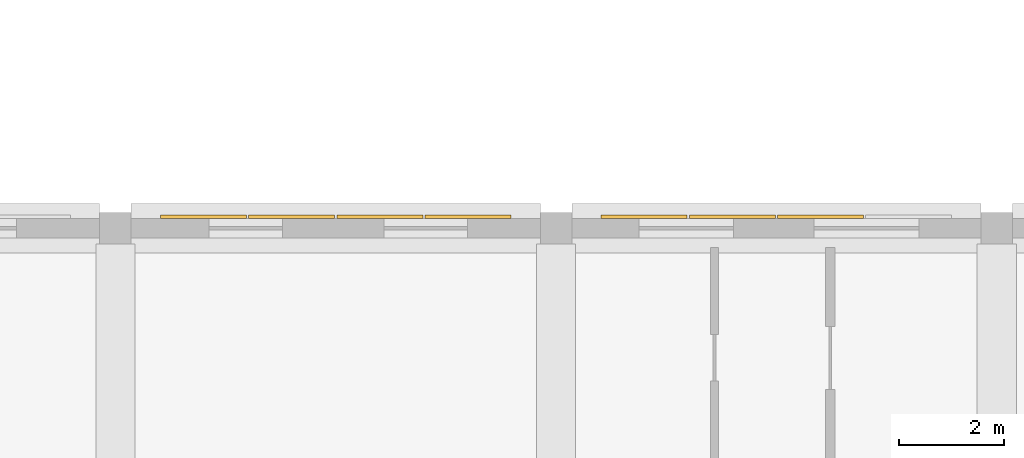
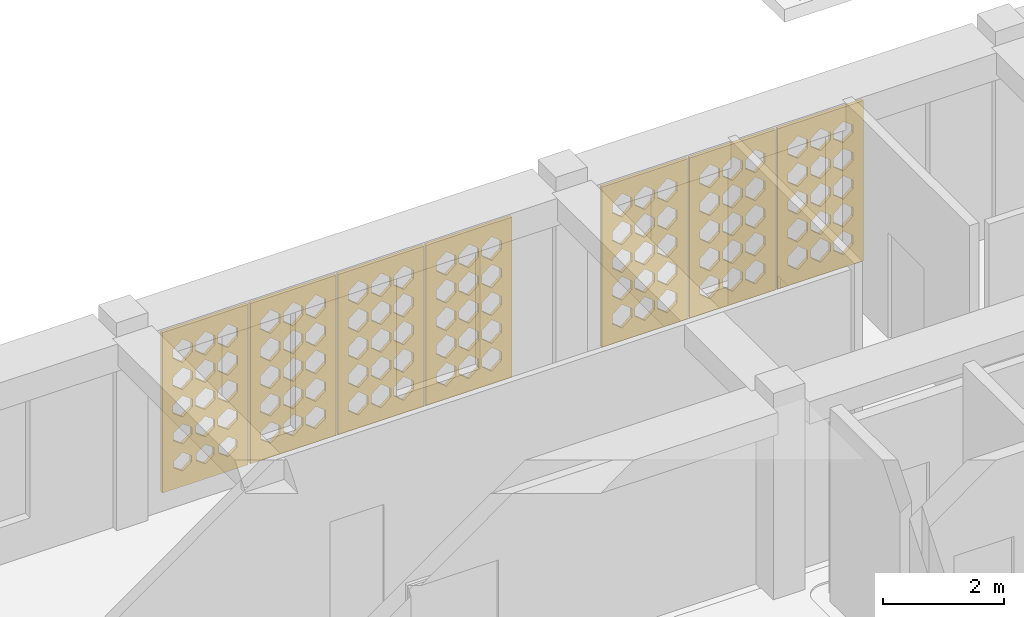
# One storey, part 43 of 48: 7 coverings.
"""IFC4 building model written with IfcOpenShell, lengths in metres."""

from ifc_helpers import new_model, si_unit, derived_unit, direction, frame, origin, place, context, subcontext, project, spatial, polyline, outline, extrude, material, layer, layer_set, type_object, element, save


model = new_model("IFC4")

# Units and contexts
model_context = context("Model", 3, precision=1e-05, world=origin(), true_north=direction((0.0, 1.0)))
body_context = subcontext(model_context, "Body", "Model", "MODEL_VIEW")
ifc_project = project(units=[si_unit("LENGTHUNIT", "METRE"), si_unit("AREAUNIT", "SQUARE_METRE"), si_unit("VOLUMEUNIT", "CUBIC_METRE"), si_unit("PLANEANGLEUNIT", "RADIAN"), si_unit("MASSUNIT", "GRAM", prefix="KILO"), derived_unit("THERMALTRANSMITTANCEUNIT", [(si_unit("POWERUNIT", "WATT"), 1), (si_unit("LENGTHUNIT", "METRE"), -2), (si_unit("THERMODYNAMICTEMPERATUREUNIT", "KELVIN"), -1)])], contexts=[model_context])

# Site, building, storey
site_placement = place(None, origin())
site = spatial("IfcSite", under=ifc_project, at=site_placement, CompositionType="ELEMENT")
building_placement = place(site_placement, origin())
building = spatial("IfcBuilding", under=site, at=building_placement, Name="Veybourne Emporium", CompositionType="ELEMENT")
storey_placement = place(building_placement, frame((0.0, 0.0, 27.89990234375)))
storey = spatial("IfcBuildingStorey", under=building, at=storey_placement, Name="L06", CompositionType="ELEMENT", Elevation=27.89990234375)

# Coverings
ifc_material = material(Name="Warm-White Perforated Aluminium Screen Alloy", Category="aluminium")
ifc_layer_1 = layer(ifc_material, 0.06005859375)
ifc_layer_set_1 = layer_set([ifc_layer_1], Name="Warm-White Perforated Aluminium Screen Alloy")
covering_type_1 = type_object("IfcCoveringType", Name="WaveScreen_SCR-01", PredefinedType="CLADDING", material=ifc_layer_set_1)
covering_1_placement = place(storey_placement, frame((10.080078125, 50.64794921875, 1.68017578125), z_axis=(0.0, -1.0, 0.0), x_axis=(1.0, 0.0, 0.0)))
element("IfcCovering", 1, at=covering_1_placement, inside=storey, type_object=covering_type_1, Name="L06 wave-perforated aluminium screen SCR-01 (9.1)", PredefinedType="CLADDING", context=body_context, shape_type="SweptSolid", body=[
    extrude(outline(polyline([(-0.81982421875, -1.6201171875), (0.81982421875, -1.6201171875), (0.81982421875, 1.6201171875), (-0.81982421875, 1.6201171875), (-0.81982421875, -1.6201171875)]), holes=[polyline([(-0.433349609375, -0.93017578125), (-0.26806640625, -1.0517578125), (-0.26806640625, -1.188232421875), (-0.433349609375, -1.309814453125), (-0.5986328125, -1.188232421875), (-0.5986328125, -1.0517578125), (-0.433349609375, -0.93017578125)]), polyline([(-0.433349609375, -0.357421875), (-0.257568359375, -0.487060546875), (-0.257568359375, -0.633056640625), (-0.433349609375, -0.7626953125), (-0.609130859375, -0.633056640625), (-0.609130859375, -0.487060546875), (-0.433349609375, -0.357421875)]), polyline([(-0.433349609375, 0.21533203125), (-0.2470703125, 0.077392578125), (-0.2470703125, -0.077392578125), (-0.433349609375, -0.21533203125), (-0.619384765625, -0.077392578125), (-0.619384765625, 0.077392578125), (-0.433349609375, 0.21533203125)]), polyline([(-0.433349609375, 0.787353515625), (-0.2470703125, 0.641845703125), (-0.2470703125, 0.47802734375), (-0.433349609375, 0.33251953125), (-0.61962890625, 0.47802734375), (-0.61962890625, 0.641845703125), (-0.433349609375, 0.787353515625)]), polyline([(-0.433349609375, 1.358642578125), (-0.2470703125, 1.205810546875), (-0.2470703125, 1.0341796875), (-0.433349609375, 0.88134765625), (-0.61962890625, 1.0341796875), (-0.61962890625, 1.205810546875), (-0.433349609375, 1.358642578125)]), polyline([(0.0, -0.923828125), (0.17041015625, -1.04931640625), (0.17041015625, -1.190673828125), (0.0, -1.316162109375), (-0.17041015625, -1.190673828125), (-0.17041015625, -1.04931640625), (0.0, -0.923828125)]), polyline([(0.0, -0.35107421875), (0.180908203125, -0.48486328125), (0.180908203125, -0.63525390625), (0.0, -0.76904296875), (-0.180908203125, -0.63525390625), (-0.180908203125, -0.48486328125), (0.0, -0.35107421875)]), polyline([(0.0, 0.221435546875), (0.186279296875, 0.07958984375), (0.186279296875, -0.07958984375), (0.0, -0.221435546875), (-0.186279296875, -0.07958984375), (-0.186279296875, 0.07958984375), (0.0, 0.221435546875)]), polyline([(0.0, 0.793212890625), (0.186279296875, 0.643798828125), (0.186279296875, 0.47607421875), (0.0, 0.326904296875), (-0.186279296875, 0.47607421875), (-0.186279296875, 0.643798828125), (0.0, 0.793212890625)]), polyline([(0.0, 1.36083984375), (0.186279296875, 1.206787109375), (0.186279296875, 1.033203125), (0.0, 0.879150390625), (-0.186279296875, 1.033203125), (-0.186279296875, 1.206787109375), (0.0, 1.36083984375)]), polyline([(0.433349609375, -0.91748046875), (0.609130859375, -1.047119140625), (0.609130859375, -1.19287109375), (0.433349609375, -1.322509765625), (0.257568359375, -1.19287109375), (0.257568359375, -1.047119140625), (0.433349609375, -0.91748046875)]), polyline([(0.433349609375, -0.3447265625), (0.619384765625, -0.482421875), (0.619384765625, -0.637451171875), (0.433349609375, -0.775390625), (0.247314453125, -0.637451171875), (0.247314453125, -0.482421875), (0.433349609375, -0.3447265625)]), polyline([(0.433349609375, 0.227294921875), (0.61962890625, 0.081787109375), (0.61962890625, -0.081787109375), (0.433349609375, -0.227294921875), (0.2470703125, -0.081787109375), (0.2470703125, 0.081787109375), (0.433349609375, 0.227294921875)]), polyline([(0.433349609375, 0.798583984375), (0.61962890625, 0.64599609375), (0.61962890625, 0.47412109375), (0.433349609375, 0.3212890625), (0.2470703125, 0.47412109375), (0.2470703125, 0.64599609375), (0.433349609375, 0.798583984375)]), polyline([(0.433349609375, 1.36083984375), (0.61962890625, 1.206787109375), (0.61962890625, 1.033203125), (0.433349609375, 0.879150390625), (0.2470703125, 1.033203125), (0.2470703125, 1.206787109375), (0.433349609375, 1.36083984375)])]), origin(), (0.0, 0.0, 1.0), 0.06005859375),
])
covering_2_placement = place(storey_placement, frame((20.159912109375, 50.64794921875, 1.68017578125), z_axis=(0.0, -1.0, 0.0), x_axis=(1.0, 0.0, 0.0)))
element("IfcCovering", 2, at=covering_2_placement, inside=storey, type_object=covering_type_1, Name="L06 wave-perforated aluminium screen SCR-01 (12.2)", PredefinedType="CLADDING", context=body_context, shape_type="SweptSolid", body=[
    extrude(outline(polyline([(-0.81982421875, -1.6201171875), (0.81982421875, -1.6201171875), (0.81982421875, 1.6201171875), (-0.81982421875, 1.6201171875), (-0.81982421875, -1.6201171875)]), holes=[polyline([(-0.433349609375, -0.879150390625), (-0.2470703125, -1.033203125), (-0.2470703125, -1.206787109375), (-0.433349609375, -1.36083984375), (-0.61962890625, -1.206787109375), (-0.61962890625, -1.033203125), (-0.433349609375, -0.879150390625)]), polyline([(-0.433349609375, -0.319091796875), (-0.2470703125, -0.473388671875), (-0.2470703125, -0.646728515625), (-0.433349609375, -0.80078125), (-0.61962890625, -0.646728515625), (-0.61962890625, -0.473388671875), (-0.433349609375, -0.319091796875)]), polyline([(-0.433349609375, 0.24072265625), (-0.2470703125, 0.086669921875), (-0.2470703125, -0.086669921875), (-0.433349609375, -0.24072265625), (-0.61962890625, -0.086669921875), (-0.61962890625, 0.086669921875), (-0.433349609375, 0.24072265625)]), polyline([(-0.433349609375, 0.80078125), (-0.2470703125, 0.646728515625), (-0.2470703125, 0.473388671875), (-0.433349609375, 0.319091796875), (-0.61962890625, 0.473388671875), (-0.61962890625, 0.646728515625), (-0.433349609375, 0.80078125)]), polyline([(-0.433349609375, 1.36083984375), (-0.2470703125, 1.206787109375), (-0.2470703125, 1.033203125), (-0.433349609375, 0.879150390625), (-0.61962890625, 1.033203125), (-0.61962890625, 1.206787109375), (-0.433349609375, 1.36083984375)]), polyline([(0.0, -0.879150390625), (0.186279296875, -1.033203125), (0.186279296875, -1.206787109375), (0.0, -1.36083984375), (-0.186279296875, -1.206787109375), (-0.186279296875, -1.033203125), (0.0, -0.879150390625)]), polyline([(0.0, -0.319091796875), (0.186279296875, -0.473388671875), (0.186279296875, -0.646728515625), (0.0, -0.80078125), (-0.186279296875, -0.646728515625), (-0.186279296875, -0.473388671875), (0.0, -0.319091796875)]), polyline([(0.0, 0.24072265625), (0.186279296875, 0.086669921875), (0.186279296875, -0.086669921875), (0.0, -0.24072265625), (-0.186279296875, -0.086669921875), (-0.186279296875, 0.086669921875), (0.0, 0.24072265625)]), polyline([(0.0, 0.80078125), (0.186279296875, 0.646728515625), (0.186279296875, 0.473388671875), (0.0, 0.319091796875), (-0.186279296875, 0.473388671875), (-0.186279296875, 0.646728515625), (0.0, 0.80078125)]), polyline([(0.0, 1.36083984375), (0.186279296875, 1.206787109375), (0.186279296875, 1.033203125), (0.0, 0.879150390625), (-0.186279296875, 1.033203125), (-0.186279296875, 1.206787109375), (0.0, 1.36083984375)]), polyline([(0.433349609375, -0.879150390625), (0.61962890625, -1.033203125), (0.61962890625, -1.206787109375), (0.433349609375, -1.36083984375), (0.2470703125, -1.206787109375), (0.2470703125, -1.033203125), (0.433349609375, -0.879150390625)]), polyline([(0.433349609375, -0.319091796875), (0.61962890625, -0.473388671875), (0.61962890625, -0.646728515625), (0.433349609375, -0.80078125), (0.2470703125, -0.646728515625), (0.2470703125, -0.473388671875), (0.433349609375, -0.319091796875)]), polyline([(0.433349609375, 0.24072265625), (0.61962890625, 0.086669921875), (0.61962890625, -0.086669921875), (0.433349609375, -0.24072265625), (0.2470703125, -0.086669921875), (0.2470703125, 0.086669921875), (0.433349609375, 0.24072265625)]), polyline([(0.433349609375, 0.80078125), (0.61962890625, 0.646728515625), (0.61962890625, 0.473388671875), (0.433349609375, 0.319091796875), (0.2470703125, 0.473388671875), (0.2470703125, 0.646728515625), (0.433349609375, 0.80078125)]), polyline([(0.433349609375, 1.357421875), (0.61962890625, 1.20556640625), (0.61962890625, 1.034423828125), (0.433349609375, 0.882568359375), (0.2470703125, 1.034423828125), (0.2470703125, 1.20556640625), (0.433349609375, 1.357421875)])]), origin(), (0.0, 0.0, 1.0), 0.06005859375),
])
ifc_layer_2 = layer(ifc_material, 0.06005859375)
ifc_layer_set_2 = layer_set([ifc_layer_2], Name="Warm-White Perforated Aluminium Screen Alloy")
covering_type_2 = type_object("IfcCoveringType", Name="WaveScreen_SCR-02", PredefinedType="CLADDING", material=ifc_layer_set_2)
covering_3_placement = place(storey_placement, frame((11.760009765625, 50.64794921875, 1.68017578125), z_axis=(0.0, -1.0, 0.0), x_axis=(1.0, 0.0, 0.0)))
element("IfcCovering", 3, at=covering_3_placement, inside=storey, type_object=covering_type_2, Name="L06 wave-perforated aluminium screen SCR-02 (9.2)", PredefinedType="CLADDING", context=body_context, shape_type="SweptSolid", body=[
    extrude(outline(polyline([(-0.81982421875, -1.6201171875), (0.81982421875, -1.6201171875), (0.81982421875, 1.6201171875), (-0.81982421875, 1.6201171875), (-0.81982421875, -1.6201171875)]), holes=[polyline([(-0.433349609375, -0.905517578125), (-0.247802734375, -1.042724609375), (-0.247802734375, -1.197265625), (-0.433349609375, -1.33447265625), (-0.618896484375, -1.197265625), (-0.618896484375, -1.042724609375), (-0.433349609375, -0.905517578125)]), polyline([(-0.433349609375, -0.33349609375), (-0.2470703125, -0.478515625), (-0.2470703125, -0.6416015625), (-0.433349609375, -0.78662109375), (-0.61962890625, -0.6416015625), (-0.61962890625, -0.478515625), (-0.433349609375, -0.33349609375)]), polyline([(-0.433349609375, 0.23779296875), (-0.2470703125, 0.085693359375), (-0.2470703125, -0.085693359375), (-0.433349609375, -0.23779296875), (-0.61962890625, -0.085693359375), (-0.61962890625, 0.085693359375), (-0.433349609375, 0.23779296875)]), polyline([(-0.433349609375, 0.80078125), (-0.2470703125, 0.646728515625), (-0.2470703125, 0.473388671875), (-0.433349609375, 0.319091796875), (-0.61962890625, 0.473388671875), (-0.61962890625, 0.646728515625), (-0.433349609375, 0.80078125)]), polyline([(-0.433349609375, 1.36083984375), (-0.2470703125, 1.206787109375), (-0.2470703125, 1.033203125), (-0.433349609375, 0.879150390625), (-0.61962890625, 1.033203125), (-0.61962890625, 1.206787109375), (-0.433349609375, 1.36083984375)]), polyline([(0.0, -0.8994140625), (0.186279296875, -1.04052734375), (0.186279296875, -1.199462890625), (0.0, -1.340576171875), (-0.186279296875, -1.199462890625), (-0.186279296875, -1.04052734375), (0.0, -0.8994140625)]), polyline([(0.0, -0.32763671875), (0.186279296875, -0.476318359375), (0.186279296875, -0.6435546875), (0.0, -0.792236328125), (-0.186279296875, -0.6435546875), (-0.186279296875, -0.476318359375), (0.0, -0.32763671875)]), polyline([(0.0, 0.24072265625), (0.186279296875, 0.086669921875), (0.186279296875, -0.086669921875), (0.0, -0.24072265625), (-0.186279296875, -0.086669921875), (-0.186279296875, 0.086669921875), (0.0, 0.24072265625)]), polyline([(0.0, 0.80078125), (0.186279296875, 0.646728515625), (0.186279296875, 0.473388671875), (0.0, 0.319091796875), (-0.186279296875, 0.473388671875), (-0.186279296875, 0.646728515625), (0.0, 0.80078125)]), polyline([(0.0, 1.36083984375), (0.186279296875, 1.206787109375), (0.186279296875, 1.033203125), (0.0, 0.879150390625), (-0.186279296875, 1.033203125), (-0.186279296875, 1.206787109375), (0.0, 1.36083984375)]), polyline([(0.433349609375, -0.8935546875), (0.61962890625, -1.038330078125), (0.61962890625, -1.20166015625), (0.433349609375, -1.346435546875), (0.2470703125, -1.20166015625), (0.2470703125, -1.038330078125), (0.433349609375, -0.8935546875)]), polyline([(0.433349609375, -0.322021484375), (0.61962890625, -0.474365234375), (0.61962890625, -0.6455078125), (0.433349609375, -0.7978515625), (0.2470703125, -0.6455078125), (0.2470703125, -0.474365234375), (0.433349609375, -0.322021484375)]), polyline([(0.433349609375, 0.24072265625), (0.61962890625, 0.086669921875), (0.61962890625, -0.086669921875), (0.433349609375, -0.24072265625), (0.2470703125, -0.086669921875), (0.2470703125, 0.086669921875), (0.433349609375, 0.24072265625)]), polyline([(0.433349609375, 0.80078125), (0.61962890625, 0.646728515625), (0.61962890625, 0.473388671875), (0.433349609375, 0.319091796875), (0.2470703125, 0.473388671875), (0.2470703125, 0.646728515625), (0.433349609375, 0.80078125)]), polyline([(0.433349609375, 1.36083984375), (0.61962890625, 1.206787109375), (0.61962890625, 1.033203125), (0.433349609375, 0.879150390625), (0.2470703125, 1.033203125), (0.2470703125, 1.206787109375), (0.433349609375, 1.36083984375)])]), origin(), (0.0, 0.0, 1.0), 0.06005859375),
])
covering_4_placement = place(storey_placement, frame((21.840087890625, 50.64794921875, 1.68017578125), z_axis=(0.0, -1.0, 0.0), x_axis=(1.0, 0.0, 0.0)))
element("IfcCovering", 4, at=covering_4_placement, inside=storey, type_object=covering_type_2, Name="L06 wave-perforated aluminium screen SCR-02 (12.3)", PredefinedType="CLADDING", context=body_context, shape_type="SweptSolid", body=[
    extrude(outline(polyline([(-0.81982421875, -1.6201171875), (0.81982421875, -1.6201171875), (0.81982421875, 1.6201171875), (-0.81982421875, 1.6201171875), (-0.81982421875, -1.6201171875)]), holes=[polyline([(-0.433349609375, -0.879150390625), (-0.2470703125, -1.033203125), (-0.2470703125, -1.206787109375), (-0.433349609375, -1.36083984375), (-0.61962890625, -1.206787109375), (-0.61962890625, -1.033203125), (-0.433349609375, -0.879150390625)]), polyline([(-0.433349609375, -0.319091796875), (-0.2470703125, -0.473388671875), (-0.2470703125, -0.646728515625), (-0.433349609375, -0.80078125), (-0.61962890625, -0.646728515625), (-0.61962890625, -0.473388671875), (-0.433349609375, -0.319091796875)]), polyline([(-0.433349609375, 0.24072265625), (-0.2470703125, 0.086669921875), (-0.2470703125, -0.086669921875), (-0.433349609375, -0.24072265625), (-0.61962890625, -0.086669921875), (-0.61962890625, 0.086669921875), (-0.433349609375, 0.24072265625)]), polyline([(-0.433349609375, 0.798095703125), (-0.2470703125, 0.645751953125), (-0.2470703125, 0.47412109375), (-0.433349609375, 0.32177734375), (-0.61962890625, 0.47412109375), (-0.61962890625, 0.645751953125), (-0.433349609375, 0.798095703125)]), polyline([(-0.433349609375, 1.346923828125), (-0.2470703125, 1.20166015625), (-0.2470703125, 1.038330078125), (-0.433349609375, 0.89306640625), (-0.61962890625, 1.038330078125), (-0.61962890625, 1.20166015625), (-0.433349609375, 1.346923828125)]), polyline([(0.0, -0.879150390625), (0.186279296875, -1.033203125), (0.186279296875, -1.206787109375), (0.0, -1.36083984375), (-0.186279296875, -1.206787109375), (-0.186279296875, -1.033203125), (0.0, -0.879150390625)]), polyline([(0.0, -0.319091796875), (0.186279296875, -0.473388671875), (0.186279296875, -0.646728515625), (0.0, -0.80078125), (-0.186279296875, -0.646728515625), (-0.186279296875, -0.473388671875), (0.0, -0.319091796875)]), polyline([(0.0, 0.24072265625), (0.186279296875, 0.086669921875), (0.186279296875, -0.086669921875), (0.0, -0.24072265625), (-0.186279296875, -0.086669921875), (-0.186279296875, 0.086669921875), (0.0, 0.24072265625)]), polyline([(0.0, 0.792724609375), (0.186279296875, 0.643798828125), (0.186279296875, 0.476318359375), (0.0, 0.327392578125), (-0.186279296875, 0.476318359375), (-0.186279296875, 0.643798828125), (0.0, 0.792724609375)]), polyline([(0.0, 1.341064453125), (0.186279296875, 1.19970703125), (0.186279296875, 1.040283203125), (0.0, 0.89892578125), (-0.186279296875, 1.040283203125), (-0.186279296875, 1.19970703125), (0.0, 1.341064453125)]), polyline([(0.433349609375, -0.879150390625), (0.61962890625, -1.033203125), (0.61962890625, -1.206787109375), (0.433349609375, -1.36083984375), (0.2470703125, -1.206787109375), (0.2470703125, -1.033203125), (0.433349609375, -0.879150390625)]), polyline([(0.433349609375, -0.319091796875), (0.61962890625, -0.473388671875), (0.61962890625, -0.646728515625), (0.433349609375, -0.80078125), (0.2470703125, -0.646728515625), (0.2470703125, -0.473388671875), (0.433349609375, -0.319091796875)]), polyline([(0.433349609375, 0.23828125), (0.61962890625, 0.085693359375), (0.61962890625, -0.085693359375), (0.433349609375, -0.23828125), (0.2470703125, -0.085693359375), (0.2470703125, 0.085693359375), (0.433349609375, 0.23828125)]), polyline([(0.433349609375, 0.787109375), (0.61962890625, 0.6416015625), (0.61962890625, 0.478271484375), (0.433349609375, 0.3330078125), (0.2470703125, 0.478271484375), (0.2470703125, 0.6416015625), (0.433349609375, 0.787109375)]), polyline([(0.433349609375, 1.3349609375), (0.619140625, 1.197509765625), (0.619140625, 1.04248046875), (0.433349609375, 0.905029296875), (0.24755859375, 1.04248046875), (0.24755859375, 1.197509765625), (0.433349609375, 1.3349609375)])]), origin(), (0.0, 0.0, 1.0), 0.06005859375),
])
ifc_layer_3 = layer(ifc_material, 0.06005859375)
ifc_layer_set_3 = layer_set([ifc_layer_3], Name="Warm-White Perforated Aluminium Screen Alloy")
covering_type_3 = type_object("IfcCoveringType", Name="WaveScreen_SCR-03", PredefinedType="CLADDING", material=ifc_layer_set_3)
covering_5_placement = place(storey_placement, frame((13.43994140625, 50.64794921875, 1.68017578125), z_axis=(0.0, -1.0, 0.0), x_axis=(1.0, 0.0, 0.0)))
element("IfcCovering", 5, at=covering_5_placement, inside=storey, type_object=covering_type_3, Name="L06 wave-perforated aluminium screen SCR-03 (9.3)", PredefinedType="CLADDING", context=body_context, shape_type="SweptSolid", body=[
    extrude(outline(polyline([(-0.81982421875, -1.6201171875), (0.81982421875, -1.6201171875), (0.81982421875, 1.6201171875), (-0.81982421875, 1.6201171875), (-0.81982421875, -1.6201171875)]), holes=[polyline([(-0.433349609375, -0.8828125), (-0.2470703125, -1.03466796875), (-0.2470703125, -1.205322265625), (-0.433349609375, -1.357177734375), (-0.61962890625, -1.205322265625), (-0.61962890625, -1.03466796875), (-0.433349609375, -0.8828125)]), polyline([(-0.433349609375, -0.319091796875), (-0.2470703125, -0.473388671875), (-0.2470703125, -0.646728515625), (-0.433349609375, -0.80078125), (-0.61962890625, -0.646728515625), (-0.61962890625, -0.473388671875), (-0.433349609375, -0.319091796875)]), polyline([(-0.433349609375, 0.24072265625), (-0.2470703125, 0.086669921875), (-0.2470703125, -0.086669921875), (-0.433349609375, -0.24072265625), (-0.61962890625, -0.086669921875), (-0.61962890625, 0.086669921875), (-0.433349609375, 0.24072265625)]), polyline([(-0.433349609375, 0.80078125), (-0.2470703125, 0.646728515625), (-0.2470703125, 0.473388671875), (-0.433349609375, 0.319091796875), (-0.61962890625, 0.473388671875), (-0.61962890625, 0.646728515625), (-0.433349609375, 0.80078125)]), polyline([(-0.433349609375, 1.36083984375), (-0.2470703125, 1.206787109375), (-0.2470703125, 1.033203125), (-0.433349609375, 0.879150390625), (-0.61962890625, 1.033203125), (-0.61962890625, 1.206787109375), (-0.433349609375, 1.36083984375)]), polyline([(0.0, -0.879150390625), (0.186279296875, -1.033203125), (0.186279296875, -1.206787109375), (0.0, -1.36083984375), (-0.186279296875, -1.206787109375), (-0.186279296875, -1.033203125), (0.0, -0.879150390625)]), polyline([(0.0, -0.319091796875), (0.186279296875, -0.473388671875), (0.186279296875, -0.646728515625), (0.0, -0.80078125), (-0.186279296875, -0.646728515625), (-0.186279296875, -0.473388671875), (0.0, -0.319091796875)]), polyline([(0.0, 0.24072265625), (0.186279296875, 0.086669921875), (0.186279296875, -0.086669921875), (0.0, -0.24072265625), (-0.186279296875, -0.086669921875), (-0.186279296875, 0.086669921875), (0.0, 0.24072265625)]), polyline([(0.0, 0.80078125), (0.186279296875, 0.646728515625), (0.186279296875, 0.473388671875), (0.0, 0.319091796875), (-0.186279296875, 0.473388671875), (-0.186279296875, 0.646728515625), (0.0, 0.80078125)]), polyline([(0.0, 1.36083984375), (0.186279296875, 1.206787109375), (0.186279296875, 1.033203125), (0.0, 0.879150390625), (-0.186279296875, 1.033203125), (-0.186279296875, 1.206787109375), (0.0, 1.36083984375)]), polyline([(0.433349609375, -0.879150390625), (0.61962890625, -1.033203125), (0.61962890625, -1.206787109375), (0.433349609375, -1.36083984375), (0.2470703125, -1.206787109375), (0.2470703125, -1.033203125), (0.433349609375, -0.879150390625)]), polyline([(0.433349609375, -0.319091796875), (0.61962890625, -0.473388671875), (0.61962890625, -0.646728515625), (0.433349609375, -0.80078125), (0.2470703125, -0.646728515625), (0.2470703125, -0.473388671875), (0.433349609375, -0.319091796875)]), polyline([(0.433349609375, 0.24072265625), (0.61962890625, 0.086669921875), (0.61962890625, -0.086669921875), (0.433349609375, -0.24072265625), (0.2470703125, -0.086669921875), (0.2470703125, 0.086669921875), (0.433349609375, 0.24072265625)]), polyline([(0.433349609375, 0.80078125), (0.61962890625, 0.646728515625), (0.61962890625, 0.473388671875), (0.433349609375, 0.319091796875), (0.2470703125, 0.473388671875), (0.2470703125, 0.646728515625), (0.433349609375, 0.80078125)]), polyline([(0.433349609375, 1.36083984375), (0.61962890625, 1.206787109375), (0.61962890625, 1.033203125), (0.433349609375, 0.879150390625), (0.2470703125, 1.033203125), (0.2470703125, 1.206787109375), (0.433349609375, 1.36083984375)])]), origin(), (0.0, 0.0, 1.0), 0.06005859375),
])
ifc_layer_4 = layer(ifc_material, 0.06005859375)
ifc_layer_set_4 = layer_set([ifc_layer_4], Name="Warm-White Perforated Aluminium Screen Alloy")
covering_type_4 = type_object("IfcCoveringType", Name="WaveScreen_SCR-04", PredefinedType="CLADDING", material=ifc_layer_set_4)
covering_6_placement = place(storey_placement, frame((15.1201171875, 50.64794921875, 1.68017578125), z_axis=(0.0, -1.0, 0.0), x_axis=(1.0, 0.0, 0.0)))
element("IfcCovering", 6, at=covering_6_placement, inside=storey, type_object=covering_type_4, Name="L06 wave-perforated aluminium screen SCR-04 (9.4)", PredefinedType="CLADDING", context=body_context, shape_type="SweptSolid", body=[
    extrude(outline(polyline([(-0.81982421875, -1.6201171875), (0.81982421875, -1.6201171875), (0.81982421875, 1.6201171875), (-0.81982421875, 1.6201171875), (-0.81982421875, -1.6201171875)]), holes=[polyline([(-0.433349609375, -0.879150390625), (-0.2470703125, -1.033203125), (-0.2470703125, -1.206787109375), (-0.433349609375, -1.36083984375), (-0.61962890625, -1.206787109375), (-0.61962890625, -1.033203125), (-0.433349609375, -0.879150390625)]), polyline([(-0.433349609375, -0.319091796875), (-0.2470703125, -0.473388671875), (-0.2470703125, -0.646728515625), (-0.433349609375, -0.80078125), (-0.61962890625, -0.646728515625), (-0.61962890625, -0.473388671875), (-0.433349609375, -0.319091796875)]), polyline([(-0.433349609375, 0.24072265625), (-0.2470703125, 0.086669921875), (-0.2470703125, -0.086669921875), (-0.433349609375, -0.24072265625), (-0.61962890625, -0.086669921875), (-0.61962890625, 0.086669921875), (-0.433349609375, 0.24072265625)]), polyline([(-0.433349609375, 0.80078125), (-0.2470703125, 0.646728515625), (-0.2470703125, 0.473388671875), (-0.433349609375, 0.319091796875), (-0.61962890625, 0.473388671875), (-0.61962890625, 0.646728515625), (-0.433349609375, 0.80078125)]), polyline([(-0.433349609375, 1.36083984375), (-0.2470703125, 1.206787109375), (-0.2470703125, 1.033203125), (-0.433349609375, 0.879150390625), (-0.61962890625, 1.033203125), (-0.61962890625, 1.206787109375), (-0.433349609375, 1.36083984375)]), polyline([(0.0, -0.879150390625), (0.186279296875, -1.033203125), (0.186279296875, -1.206787109375), (0.0, -1.36083984375), (-0.186279296875, -1.206787109375), (-0.186279296875, -1.033203125), (0.0, -0.879150390625)]), polyline([(0.0, -0.319091796875), (0.186279296875, -0.473388671875), (0.186279296875, -0.646728515625), (0.0, -0.80078125), (-0.186279296875, -0.646728515625), (-0.186279296875, -0.473388671875), (0.0, -0.319091796875)]), polyline([(0.0, 0.24072265625), (0.186279296875, 0.086669921875), (0.186279296875, -0.086669921875), (0.0, -0.24072265625), (-0.186279296875, -0.086669921875), (-0.186279296875, 0.086669921875), (0.0, 0.24072265625)]), polyline([(0.0, 0.80078125), (0.186279296875, 0.646728515625), (0.186279296875, 0.473388671875), (0.0, 0.319091796875), (-0.186279296875, 0.473388671875), (-0.186279296875, 0.646728515625), (0.0, 0.80078125)]), polyline([(0.0, 1.36083984375), (0.186279296875, 1.206787109375), (0.186279296875, 1.033203125), (0.0, 0.879150390625), (-0.186279296875, 1.033203125), (-0.186279296875, 1.206787109375), (0.0, 1.36083984375)]), polyline([(0.433349609375, -0.879150390625), (0.61962890625, -1.033203125), (0.61962890625, -1.206787109375), (0.433349609375, -1.36083984375), (0.2470703125, -1.206787109375), (0.2470703125, -1.033203125), (0.433349609375, -0.879150390625)]), polyline([(0.433349609375, -0.319091796875), (0.61962890625, -0.473388671875), (0.61962890625, -0.646728515625), (0.433349609375, -0.80078125), (0.2470703125, -0.646728515625), (0.2470703125, -0.473388671875), (0.433349609375, -0.319091796875)]), polyline([(0.433349609375, 0.24072265625), (0.61962890625, 0.086669921875), (0.61962890625, -0.086669921875), (0.433349609375, -0.24072265625), (0.2470703125, -0.086669921875), (0.2470703125, 0.086669921875), (0.433349609375, 0.24072265625)]), polyline([(0.433349609375, 0.80078125), (0.61962890625, 0.646728515625), (0.61962890625, 0.473388671875), (0.433349609375, 0.319091796875), (0.2470703125, 0.473388671875), (0.2470703125, 0.646728515625), (0.433349609375, 0.80078125)]), polyline([(0.433349609375, 1.36083984375), (0.61962890625, 1.206787109375), (0.61962890625, 1.033203125), (0.433349609375, 0.879150390625), (0.2470703125, 1.033203125), (0.2470703125, 1.206787109375), (0.433349609375, 1.36083984375)])]), origin(), (0.0, 0.0, 1.0), 0.06005859375),
])
covering_7_placement = place(storey_placement, frame((18.47998046875, 50.64794921875, 1.68017578125), z_axis=(0.0, -1.0, 0.0), x_axis=(1.0, 0.0, 0.0)))
element("IfcCovering", 7, at=covering_7_placement, inside=storey, type_object=covering_type_4, Name="L06 wave-perforated aluminium screen SCR-04 (12.1)", PredefinedType="CLADDING", context=body_context, shape_type="SweptSolid", body=[
    extrude(outline(polyline([(-0.81982421875, -1.6201171875), (0.81982421875, -1.6201171875), (0.81982421875, 1.6201171875), (-0.81982421875, 1.6201171875), (-0.81982421875, -1.6201171875)]), holes=[polyline([(-0.433349609375, -0.879150390625), (-0.2470703125, -1.033203125), (-0.2470703125, -1.206787109375), (-0.433349609375, -1.36083984375), (-0.61962890625, -1.206787109375), (-0.61962890625, -1.033203125), (-0.433349609375, -0.879150390625)]), polyline([(-0.433349609375, -0.319091796875), (-0.2470703125, -0.473388671875), (-0.2470703125, -0.646728515625), (-0.433349609375, -0.80078125), (-0.61962890625, -0.646728515625), (-0.61962890625, -0.473388671875), (-0.433349609375, -0.319091796875)]), polyline([(-0.433349609375, 0.24072265625), (-0.2470703125, 0.086669921875), (-0.2470703125, -0.086669921875), (-0.433349609375, -0.24072265625), (-0.61962890625, -0.086669921875), (-0.61962890625, 0.086669921875), (-0.433349609375, 0.24072265625)]), polyline([(-0.433349609375, 0.80078125), (-0.2470703125, 0.646728515625), (-0.2470703125, 0.473388671875), (-0.433349609375, 0.319091796875), (-0.61962890625, 0.473388671875), (-0.61962890625, 0.646728515625), (-0.433349609375, 0.80078125)]), polyline([(-0.433349609375, 1.36083984375), (-0.2470703125, 1.206787109375), (-0.2470703125, 1.033203125), (-0.433349609375, 0.879150390625), (-0.61962890625, 1.033203125), (-0.61962890625, 1.206787109375), (-0.433349609375, 1.36083984375)]), polyline([(0.0, -0.879150390625), (0.186279296875, -1.033203125), (0.186279296875, -1.206787109375), (0.0, -1.36083984375), (-0.186279296875, -1.206787109375), (-0.186279296875, -1.033203125), (0.0, -0.879150390625)]), polyline([(0.0, -0.319091796875), (0.186279296875, -0.473388671875), (0.186279296875, -0.646728515625), (0.0, -0.80078125), (-0.186279296875, -0.646728515625), (-0.186279296875, -0.473388671875), (0.0, -0.319091796875)]), polyline([(0.0, 0.24072265625), (0.186279296875, 0.086669921875), (0.186279296875, -0.086669921875), (0.0, -0.24072265625), (-0.186279296875, -0.086669921875), (-0.186279296875, 0.086669921875), (0.0, 0.24072265625)]), polyline([(0.0, 0.80078125), (0.186279296875, 0.646728515625), (0.186279296875, 0.473388671875), (0.0, 0.319091796875), (-0.186279296875, 0.473388671875), (-0.186279296875, 0.646728515625), (0.0, 0.80078125)]), polyline([(0.0, 1.36083984375), (0.186279296875, 1.206787109375), (0.186279296875, 1.033203125), (0.0, 0.879150390625), (-0.186279296875, 1.033203125), (-0.186279296875, 1.206787109375), (0.0, 1.36083984375)]), polyline([(0.433349609375, -0.879150390625), (0.61962890625, -1.033203125), (0.61962890625, -1.206787109375), (0.433349609375, -1.36083984375), (0.2470703125, -1.206787109375), (0.2470703125, -1.033203125), (0.433349609375, -0.879150390625)]), polyline([(0.433349609375, -0.319091796875), (0.61962890625, -0.473388671875), (0.61962890625, -0.646728515625), (0.433349609375, -0.80078125), (0.2470703125, -0.646728515625), (0.2470703125, -0.473388671875), (0.433349609375, -0.319091796875)]), polyline([(0.433349609375, 0.24072265625), (0.61962890625, 0.086669921875), (0.61962890625, -0.086669921875), (0.433349609375, -0.24072265625), (0.2470703125, -0.086669921875), (0.2470703125, 0.086669921875), (0.433349609375, 0.24072265625)]), polyline([(0.433349609375, 0.80078125), (0.61962890625, 0.646728515625), (0.61962890625, 0.473388671875), (0.433349609375, 0.319091796875), (0.2470703125, 0.473388671875), (0.2470703125, 0.646728515625), (0.433349609375, 0.80078125)]), polyline([(0.433349609375, 1.36083984375), (0.61962890625, 1.206787109375), (0.61962890625, 1.033203125), (0.433349609375, 0.879150390625), (0.2470703125, 1.033203125), (0.2470703125, 1.206787109375), (0.433349609375, 1.36083984375)])]), origin(), (0.0, 0.0, 1.0), 0.06005859375),
])

save(model, "model.ifc")
